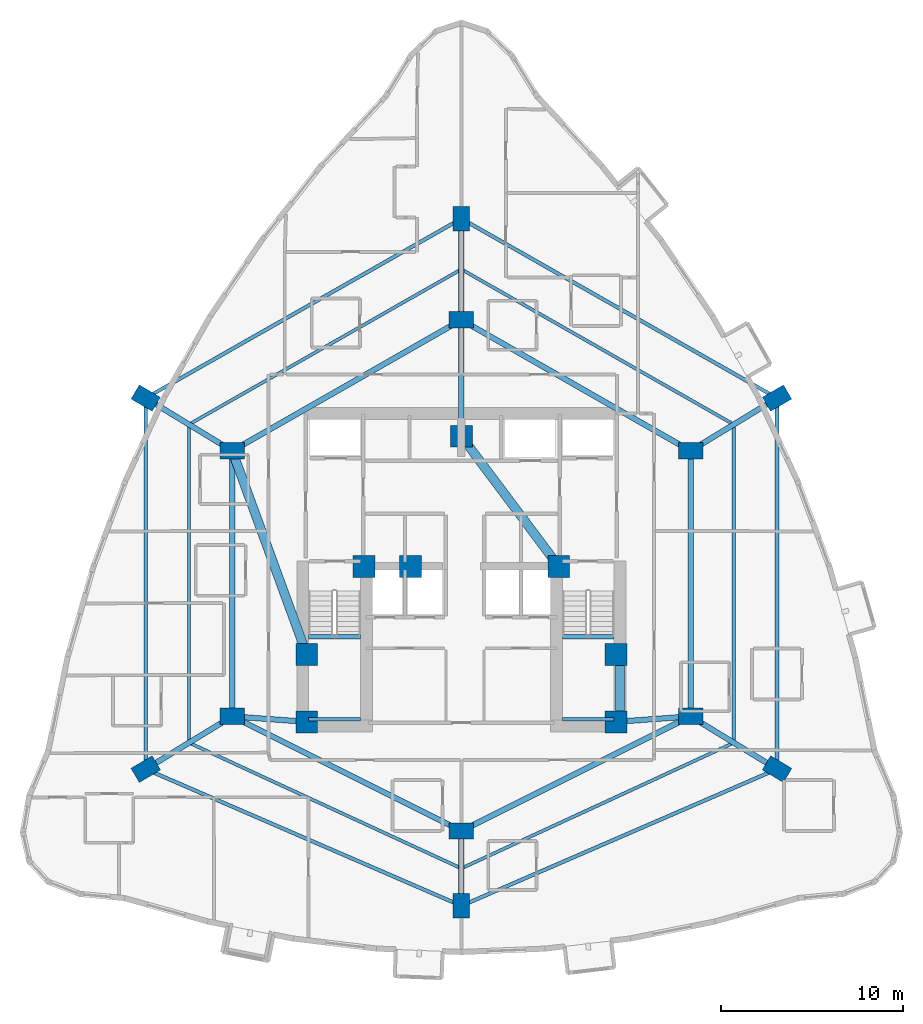
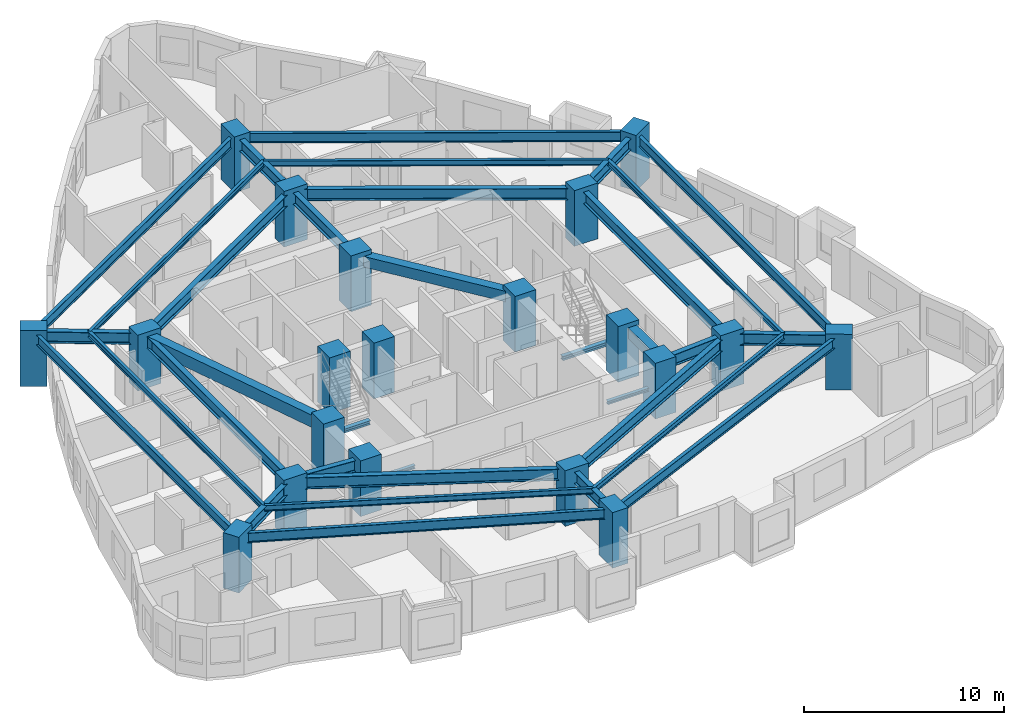
# One storey, part 1 of 15: 34 beams, 20 columns.
"""IFC4 building model written with IfcOpenShell, lengths in metres."""

from ifc_helpers import new_model, si_unit, direction, frame, origin, origin_2d, place, context, subcontext, project, spatial, rectangle, i_section, extrude, material, material_profile, profile_set, type_object, element, save


model = new_model("IFC4")

# Units and contexts
model_context = context("Model", 3, precision=1e-05, world=origin(), true_north=direction((0.0, 1.0)))
body_context = subcontext(model_context, "Body", "Model", "MODEL_VIEW")
ifc_project = project(units=[si_unit("LENGTHUNIT", "METRE"), si_unit("AREAUNIT", "SQUARE_METRE"), si_unit("VOLUMEUNIT", "CUBIC_METRE"), si_unit("PLANEANGLEUNIT", "RADIAN"), si_unit("MASSUNIT", "GRAM", prefix="KILO")], contexts=[model_context])

# Site, building, storey
site_placement = place(None, origin())
site = spatial("IfcSite", under=ifc_project, at=site_placement, CompositionType="ELEMENT")
building_placement = place(site_placement, origin())
building = spatial("IfcBuilding", under=site, at=building_placement, Name="Miruveldt Soraemaru", CompositionType="ELEMENT")
storey_placement = place(building_placement, frame((0.0, 0.0, 83.60009765625)))
storey = spatial("IfcBuildingStorey", under=building, at=storey_placement, Name="L23", CompositionType="ELEMENT", Elevation=83.60009765625)

# Columns
ifc_material_1 = material(Name="Concrete C70/85 (70 MPa)", Category="concrete")
ifc_material_profile_1 = material_profile(ifc_material_1, rectangle(XDim=1.199951171875, YDim=1.199951171875, at=origin_2d()), Name="Concrete C70/85 (70 MPa)", Category="concrete")
ifc_profile_set_1 = profile_set([ifc_material_profile_1], Name="Concrete C70/85 (70 MPa)")
column_type_1 = type_object("IfcColumnType", Name="COL-CORE-1200", PredefinedType="COLUMN", material=ifc_profile_set_1)
for number, where, z_axis, x_axis, name in (
    (1, (35.5, 35.5, 0.0), (0.0, 0.0, 1.0), (1.0, 0.0, 0.0), "L23 Structural Column CC1"),
    (2, (38.64990234375, 44.050048828125, 0.0), (0.0, 0.0, 1.0), (1.0, 0.0, 0.0), "L23 Structural Column CC2"),
    (3, (52.5, 35.5, 0.0), (0.0, 0.0, 1.0), (1.0, 0.0, 0.0), "L23 Structural Column CC3"),
    (4, (52.5, 39.199951171875, 0.0), (0.0, 0.0, 1.0), (1.0, 0.0, 0.0), "L23 Structural Column CC4"),
    (5, (49.35009765625, 44.050048828125, 0.0), (0.0, 0.0, 1.0), (1.0, 0.0, 0.0), "L23 Structural Column CC5"),
    (6, (44.0, 51.199951171875, 0.0), (0.0, 0.0, 1.0), (1.0, 0.0, 0.0), "L23 Structural Column CC6"),
    (7, (35.5, 39.199951171875, 0.0), (0.0, 0.0, 1.0), (1.0, 0.0, 0.0), "L23 Structural Column CC7"),
    (8, (41.199951171875, 44.050048828125, 0.0), (0.0, 0.0, 1.0), (1.0, 0.0, 0.0), "L23 Structural Column CC8"),
):
    element("IfcColumn", number, at=place(storey_placement, frame(where, z_axis=z_axis, x_axis=x_axis)), inside=storey, type_object=column_type_1, Name=name, PredefinedType="COLUMN", context=body_context, shape_type="SweptSolid", body=[
        extrude(rectangle(XDim=1.199951171875, YDim=1.199951171875, at=origin_2d()), origin(), (0.0, 0.0, 1.0), 3.39990234375),
    ])
ifc_material_profile_2 = material_profile(ifc_material_1, rectangle(XDim=1.35009765625, YDim=0.89990234375, at=origin_2d()), Name="Concrete C70/85 (70 MPa)", Category="concrete")
ifc_profile_set_2 = profile_set([ifc_material_profile_2], Name="Concrete C70/85 (70 MPa)")
column_type_2 = type_object("IfcColumnType", Name="COL-TW-Z1B", PredefinedType="COLUMN", material=ifc_profile_set_2)
for number, where, z_axis, x_axis, name in (
    (9, (44.0, 57.60009765625, 0.0), (0.0, 0.0, 1.0), (1.0, 0.0, 0.0), "L23 Structural Column IR01"),
    (10, (56.60009765625, 50.39990234375, 0.0), (0.0, 0.0, 1.0), (1.0, 0.0, 0.0), "L23 Structural Column IR02"),
    (11, (56.60009765625, 35.800048828125, 0.0), (0.0, 0.0, 1.0), (1.0, 0.0, 0.0), "L23 Structural Column IR03"),
    (12, (44.0, 29.5, 0.0), (0.0, 0.0, 1.0), (1.0, 0.0, 0.0), "L23 Structural Column IR04"),
    (13, (31.39990234375, 35.800048828125, 0.0), (0.0, 0.0, 1.0), (1.0, 0.0, 0.0), "L23 Structural Column IR05"),
    (14, (31.39990234375, 50.39990234375, 0.0), (0.0, 0.0, 1.0), (1.0, 0.0, 0.0), "L23 Structural Column IR06"),
    (15, (44.0, 63.16796875, 0.0), (0.0, 0.0, 1.0), (0.0, 1.0, 0.0), "L23 Structural Column Z1P01"),
    (16, (61.35595703125, 53.300048828125, 0.0), (0.0, 0.0, 1.0), (0.864274801954, 0.50301994663, 0.0), "L23 Structural Column Z1P02"),
    (17, (61.35595703125, 32.89990234375, 0.0), (0.0, 0.0, 1.0), (-0.859852271597, 0.510542917912, 0.0), "L23 Structural Column Z1P03"),
    (18, (44.0, 25.382080078125, 0.0), (0.0, 0.0, 1.0), (0.0, 1.0, 0.0), "L23 Structural Column Z1P04"),
    (19, (26.64404296875, 32.89990234375, 0.0), (0.0, 0.0, 1.0), (0.859852271597, 0.510542917912, 0.0), "L23 Structural Column Z1P05"),
    (20, (26.64404296875, 53.300048828125, 0.0), (0.0, 0.0, 1.0), (-0.864274801954, 0.50301994663, 0.0), "L23 Structural Column Z1P06"),
):
    element("IfcColumn", number, at=place(storey_placement, frame(where, z_axis=z_axis, x_axis=x_axis)), inside=storey, type_object=column_type_2, Name=name, PredefinedType="COLUMN", context=body_context, shape_type="SweptSolid", body=[
        extrude(rectangle(XDim=1.35009765625, YDim=0.89990234375, at=origin_2d()), origin(), (0.0, 0.0, 1.0), 3.39990234375),
    ])

# Beams
ifc_material_2 = material(Name="Concrete C50/60 (50 MPa)", Category="concrete")
ifc_material_profile_3 = material_profile(ifc_material_2, rectangle(XDim=0.5, YDim=0.64990234375, at=origin_2d()), Name="Concrete C50/60 (50 MPa)", Category="concrete")
ifc_profile_set_3 = profile_set([ifc_material_profile_3], Name="Concrete C50/60 (50 MPa)")
beam_type_1 = type_object("IfcBeamType", Name="BM-RC-500x650", PredefinedType="BEAM", material=ifc_profile_set_3)
beam_1_placement = place(storey_placement, frame((52.72998046875, 35.5, 2.7998046875), z_axis=(0.0, 1.0, 0.0), x_axis=(-1.0, 0.0, 0.0)))
element("IfcBeam", 21, at=beam_1_placement, inside=storey, type_object=beam_type_1, Name="L23 Core Tie Beam 3", PredefinedType="BEAM", context=body_context, shape_type="SweptSolid", body=[
    extrude(rectangle(XDim=0.5, YDim=0.64990234375, at=origin_2d()), origin(), (0.0, 0.0, 1.0), 3.699951171875),
])
beam_2_placement = place(storey_placement, frame((49.35009765625, 44.050048828125, 2.7998046875), z_axis=(-0.599116023999, 0.800662219533, 0.0), x_axis=(-0.800662219533, -0.599116023999, 0.0)))
element("IfcBeam", 22, at=beam_2_placement, inside=storey, type_object=beam_type_1, Name="L23 Core Tie Beam 5", PredefinedType="BEAM", context=body_context, shape_type="SweptSolid", body=[
    extrude(rectangle(XDim=0.5, YDim=0.64990234375, at=origin_2d()), origin(), (0.0, 0.0, 1.0), 8.929931640625),
])
ifc_material_3 = material(Name="Concrete C40/50 (40 MPa)", Category="concrete")
ifc_material_profile_4 = material_profile(ifc_material_3, rectangle(XDim=0.5, YDim=0.75, at=origin_2d()), Name="Concrete C40/50 (40 MPa)", Category="concrete")
ifc_profile_set_4 = profile_set([ifc_material_profile_4], Name="Concrete C40/50 (40 MPa)")
beam_type_2 = type_object("IfcBeamType", Name="BM-RC-500x750", PredefinedType="LINTEL", material=ifc_profile_set_4)
beam_3_placement = place(storey_placement, frame((31.39990234375, 50.39990234375, 2.75), z_axis=(0.343770424598, -0.939053723262, 0.0), x_axis=(0.939053723262, 0.343770424598, 0.0)))
element("IfcBeam", 23, at=beam_3_placement, inside=storey, type_object=beam_type_2, Name="L23 West Lobby Lintel", PredefinedType="LINTEL", context=body_context, shape_type="SweptSolid", body=[
    extrude(rectangle(XDim=0.5, YDim=0.75, at=origin_2d()), origin(), (0.0, 0.0, 1.0), 11.9267578125),
])
ifc_material_4 = material(Name="Steel SM355 (355 MPa)", Category="steel")
ifc_material_profile_5 = material_profile(ifc_material_4, i_section(OverallWidth=0.175048828125, OverallDepth=0.35009765625, WebThickness=0.007080078125, FlangeThickness=0.010986328125, FilletRadius=0.013916015625, at=origin_2d()), Name="Steel SM355 (355 MPa)", Category="steel")
ifc_profile_set_5 = profile_set([ifc_material_profile_5], Name="Steel SM355 (355 MPa)")
beam_type_3 = type_object("IfcBeamType", Name="BM-ST-H350", PredefinedType="JOIST", material=ifc_profile_set_5)
beam_4_placement = place(storey_placement, frame((44.0, 60.384033203125, 2.949951171875), z_axis=(0.868865604585, -0.495048039254, 0.0), x_axis=(0.495048039254, 0.868865604585, 0.0)))
element("IfcBeam", 24, at=beam_4_placement, inside=storey, type_object=beam_type_3, Name="L23 Outer Bay Floor Joist 1", PredefinedType="JOIST", context=body_context, shape_type="SweptSolid", body=[
    extrude(i_section(OverallWidth=0.175048828125, OverallDepth=0.35009765625, WebThickness=0.007080078125, FlangeThickness=0.010986328125, FilletRadius=0.013916015625, at=origin_2d()), origin(), (0.0, 0.0, 1.0), 17.238525390625),
])
beam_5_placement = place(storey_placement, frame((58.97802734375, 51.85009765625, 2.949951171875), z_axis=(0.0, -1.0, 0.0), x_axis=(1.0, 0.0, 0.0)))
element("IfcBeam", 25, at=beam_5_placement, inside=storey, type_object=beam_type_3, Name="L23 Outer Bay Floor Joist 2", PredefinedType="JOIST", context=body_context, shape_type="SweptSolid", body=[
    extrude(i_section(OverallWidth=0.175048828125, OverallDepth=0.35009765625, WebThickness=0.007080078125, FlangeThickness=0.010986328125, FilletRadius=0.013916015625, at=origin_2d()), origin(), (0.0, 0.0, 1.0), 17.5),
])
for number, where, z_axis, x_axis, name in (
    (26, (58.97802734375, 34.35009765625, 2.949951171875), (-0.908046005539, -0.418870447543, 0.0), (0.418870447543, -0.908046005539, 0.0), "L23 Outer Bay Floor Joist 3"),
    (27, (44.0, 27.44091796875, 2.949951171875), (-0.908046005539, 0.418870447543, 0.0), (-0.418870447543, -0.908046005539, 0.0), "L23 Outer Bay Floor Joist 4"),
):
    element("IfcBeam", number, at=place(storey_placement, frame(where, z_axis=z_axis, x_axis=x_axis)), inside=storey, type_object=beam_type_3, Name=name, PredefinedType="JOIST", context=body_context, shape_type="SweptSolid", body=[
        extrude(i_section(OverallWidth=0.175048828125, OverallDepth=0.35009765625, WebThickness=0.007080078125, FlangeThickness=0.010986328125, FilletRadius=0.013916015625, at=origin_2d()), origin(), (0.0, 0.0, 1.0), 16.494873046875),
    ])
beam_6_placement = place(storey_placement, frame((29.02197265625, 34.35009765625, 2.949951171875), z_axis=(0.0, 1.0, 0.0), x_axis=(-1.0, 0.0, 0.0)))
element("IfcBeam", 28, at=beam_6_placement, inside=storey, type_object=beam_type_3, Name="L23 Outer Bay Floor Joist 5", PredefinedType="JOIST", context=body_context, shape_type="SweptSolid", body=[
    extrude(i_section(OverallWidth=0.175048828125, OverallDepth=0.35009765625, WebThickness=0.007080078125, FlangeThickness=0.010986328125, FilletRadius=0.013916015625, at=origin_2d()), origin(), (0.0, 0.0, 1.0), 17.5),
])
beam_7_placement = place(storey_placement, frame((29.02197265625, 51.85009765625, 2.949951171875), z_axis=(0.868865604585, 0.495048039254, 0.0), x_axis=(-0.495048039254, 0.868865604585, 0.0)))
element("IfcBeam", 29, at=beam_7_placement, inside=storey, type_object=beam_type_3, Name="L23 Outer Bay Floor Joist 6", PredefinedType="JOIST", context=body_context, shape_type="SweptSolid", body=[
    extrude(i_section(OverallWidth=0.175048828125, OverallDepth=0.35009765625, WebThickness=0.007080078125, FlangeThickness=0.010986328125, FilletRadius=0.013916015625, at=origin_2d()), origin(), (0.0, 0.0, 1.0), 17.238525390625),
])
ifc_material_profile_6 = material_profile(ifc_material_4, i_section(OverallWidth=0.199951171875, OverallDepth=0.60009765625, WebThickness=0.010986328125, FlangeThickness=0.01708984375, FilletRadius=0.02197265625, at=origin_2d()), Name="Steel SM355 (355 MPa)", Category="steel")
ifc_profile_set_6 = profile_set([ifc_material_profile_6], Name="Steel SM355 (355 MPa)")
beam_type_4 = type_object("IfcBeamType", Name="BM-ST-H600", PredefinedType="SPANDREL", material=ifc_profile_set_6)
beam_8_placement = place(storey_placement, frame((44.0, 63.16796875, 2.824951171875), z_axis=(0.869314947608, -0.494258557706, 0.0), x_axis=(0.494258557706, 0.869314947608, 0.0)))
element("IfcBeam", 30, at=beam_8_placement, inside=storey, type_object=beam_type_4, Name="L23 Zone-1 Spandrel Beam 1", PredefinedType="SPANDREL", context=body_context, shape_type="SweptSolid", body=[
    extrude(i_section(OverallWidth=0.199951171875, OverallDepth=0.60009765625, WebThickness=0.010986328125, FlangeThickness=0.01708984375, FilletRadius=0.02197265625, at=origin_2d()), origin(), (0.0, 0.0, 1.0), 19.965087890625),
])
beam_9_placement = place(storey_placement, frame((61.35595703125, 53.300048828125, 2.824951171875), z_axis=(0.0, -1.0, 0.0), x_axis=(1.0, 0.0, 0.0)))
element("IfcBeam", 31, at=beam_9_placement, inside=storey, type_object=beam_type_4, Name="L23 Zone-1 Spandrel Beam 2", PredefinedType="SPANDREL", context=body_context, shape_type="SweptSolid", body=[
    extrude(i_section(OverallWidth=0.199951171875, OverallDepth=0.60009765625, WebThickness=0.010986328125, FlangeThickness=0.01708984375, FilletRadius=0.02197265625, at=origin_2d()), origin(), (0.0, 0.0, 1.0), 20.400146484375),
])
for number, where, z_axis, x_axis, name in (
    (32, (61.35595703125, 32.89990234375, 2.824951171875), (-0.917615263736, -0.397469782195, 0.0), (0.397469782195, -0.917615263736, 0.0), "L23 Zone-1 Spandrel Beam 3"),
    (33, (44.0, 25.382080078125, 2.824951171875), (-0.917615263736, 0.397469782195, 0.0), (-0.397469782195, -0.917615263736, 0.0), "L23 Zone-1 Spandrel Beam 4"),
):
    element("IfcBeam", number, at=place(storey_placement, frame(where, z_axis=z_axis, x_axis=x_axis)), inside=storey, type_object=beam_type_4, Name=name, PredefinedType="SPANDREL", context=body_context, shape_type="SweptSolid", body=[
        extrude(i_section(OverallWidth=0.199951171875, OverallDepth=0.60009765625, WebThickness=0.010986328125, FlangeThickness=0.01708984375, FilletRadius=0.02197265625, at=origin_2d()), origin(), (0.0, 0.0, 1.0), 18.914306640625),
    ])
beam_10_placement = place(storey_placement, frame((26.64404296875, 32.89990234375, 2.824951171875), z_axis=(0.0, 1.0, 0.0), x_axis=(-1.0, 0.0, 0.0)))
element("IfcBeam", 34, at=beam_10_placement, inside=storey, type_object=beam_type_4, Name="L23 Zone-1 Spandrel Beam 5", PredefinedType="SPANDREL", context=body_context, shape_type="SweptSolid", body=[
    extrude(i_section(OverallWidth=0.199951171875, OverallDepth=0.60009765625, WebThickness=0.010986328125, FlangeThickness=0.01708984375, FilletRadius=0.02197265625, at=origin_2d()), origin(), (0.0, 0.0, 1.0), 20.400146484375),
])
beam_11_placement = place(storey_placement, frame((26.64404296875, 53.300048828125, 2.824951171875), z_axis=(0.869314947608, 0.494258557706, 0.0), x_axis=(-0.494258557706, 0.869314947608, 0.0)))
element("IfcBeam", 35, at=beam_11_placement, inside=storey, type_object=beam_type_4, Name="L23 Zone-1 Spandrel Beam 6", PredefinedType="SPANDREL", context=body_context, shape_type="SweptSolid", body=[
    extrude(i_section(OverallWidth=0.199951171875, OverallDepth=0.60009765625, WebThickness=0.010986328125, FlangeThickness=0.01708984375, FilletRadius=0.02197265625, at=origin_2d()), origin(), (0.0, 0.0, 1.0), 19.965087890625),
])
ifc_material_profile_7 = material_profile(ifc_material_4, i_section(OverallWidth=0.300048828125, OverallDepth=0.699951171875, WebThickness=0.012939453125, FlangeThickness=0.02392578125, FilletRadius=0.028076171875, at=origin_2d()), Name="Steel SM355 (355 MPa)", Category="steel")
ifc_profile_set_7 = profile_set([ifc_material_profile_7], Name="Steel SM355 (355 MPa)")
beam_type_5 = type_object("IfcBeamType", Name="BM-ST-H700", PredefinedType="BEAM", material=ifc_profile_set_7)
beam_12_placement = place(storey_placement, frame((44.0, 57.60009765625, 2.77490234375), z_axis=(0.868239001029, -0.496146185203, 0.0), x_axis=(0.496146185203, 0.868239001029, 0.0)))
element("IfcBeam", 36, at=beam_12_placement, inside=storey, type_object=beam_type_5, Name="L23 Inner Ring Girder 1", PredefinedType="BEAM", context=body_context, shape_type="SweptSolid", body=[
    extrude(i_section(OverallWidth=0.300048828125, OverallDepth=0.699951171875, WebThickness=0.012939453125, FlangeThickness=0.02392578125, FilletRadius=0.028076171875, at=origin_2d()), origin(), (0.0, 0.0, 1.0), 14.51220703125),
])
beam_13_placement = place(storey_placement, frame((44.0, 51.199951171875, 2.77490234375), z_axis=(0.0, 1.0, 0.0), x_axis=(-1.0, 0.0, 0.0)))
element("IfcBeam", 37, at=beam_13_placement, inside=storey, type_object=beam_type_5, Name="L23 Core-to-Inner Radial Girder 1", PredefinedType="BEAM", context=body_context, shape_type="SweptSolid", body=[
    extrude(i_section(OverallWidth=0.300048828125, OverallDepth=0.699951171875, WebThickness=0.012939453125, FlangeThickness=0.02392578125, FilletRadius=0.028076171875, at=origin_2d()), origin(), (0.0, 0.0, 1.0), 6.400146484375),
])
beam_14_placement = place(storey_placement, frame((56.60009765625, 50.39990234375, 2.77490234375), z_axis=(0.0, -1.0, 0.0), x_axis=(1.0, 0.0, 0.0)))
element("IfcBeam", 38, at=beam_14_placement, inside=storey, type_object=beam_type_5, Name="L23 Inner Ring Girder 2", PredefinedType="BEAM", context=body_context, shape_type="SweptSolid", body=[
    extrude(i_section(OverallWidth=0.300048828125, OverallDepth=0.699951171875, WebThickness=0.012939453125, FlangeThickness=0.02392578125, FilletRadius=0.028076171875, at=origin_2d()), origin(), (0.0, 0.0, 1.0), 14.599853515625),
])
beam_15_placement = place(storey_placement, frame((56.60009765625, 35.800048828125, 2.77490234375), z_axis=(-0.894427191, -0.4472135955, 0.0), x_axis=(0.4472135955, -0.894427191, 0.0)))
element("IfcBeam", 39, at=beam_15_placement, inside=storey, type_object=beam_type_5, Name="L23 Inner Ring Girder 3", PredefinedType="BEAM", context=body_context, shape_type="SweptSolid", body=[
    extrude(i_section(OverallWidth=0.300048828125, OverallDepth=0.699951171875, WebThickness=0.012939453125, FlangeThickness=0.02392578125, FilletRadius=0.028076171875, at=origin_2d()), origin(), (0.0, 0.0, 1.0), 14.08740234375),
])
beam_16_placement = place(storey_placement, frame((52.5, 35.5, 2.77490234375), z_axis=(0.997332985605, 0.072985723431, 0.0), x_axis=(-0.072985723431, 0.997332985605, 0.0)))
element("IfcBeam", 40, at=beam_16_placement, inside=storey, type_object=beam_type_5, Name="L23 Core-to-Inner Radial Girder 3", PredefinedType="BEAM", context=body_context, shape_type="SweptSolid", body=[
    extrude(i_section(OverallWidth=0.300048828125, OverallDepth=0.699951171875, WebThickness=0.012939453125, FlangeThickness=0.02392578125, FilletRadius=0.028076171875, at=origin_2d()), origin(), (0.0, 0.0, 1.0), 4.111083984375),
])
beam_17_placement = place(storey_placement, frame((44.0, 29.5, 2.77490234375), z_axis=(-0.894427191, 0.4472135955, 0.0), x_axis=(-0.4472135955, -0.894427191, 0.0)))
element("IfcBeam", 41, at=beam_17_placement, inside=storey, type_object=beam_type_5, Name="L23 Inner Ring Girder 4", PredefinedType="BEAM", context=body_context, shape_type="SweptSolid", body=[
    extrude(i_section(OverallWidth=0.300048828125, OverallDepth=0.699951171875, WebThickness=0.012939453125, FlangeThickness=0.02392578125, FilletRadius=0.028076171875, at=origin_2d()), origin(), (0.0, 0.0, 1.0), 14.08740234375),
])
beam_18_placement = place(storey_placement, frame((31.39990234375, 35.800048828125, 2.77490234375), z_axis=(0.0, 1.0, 0.0), x_axis=(-1.0, 0.0, 0.0)))
element("IfcBeam", 42, at=beam_18_placement, inside=storey, type_object=beam_type_5, Name="L23 Inner Ring Girder 5", PredefinedType="BEAM", context=body_context, shape_type="SweptSolid", body=[
    extrude(i_section(OverallWidth=0.300048828125, OverallDepth=0.699951171875, WebThickness=0.012939453125, FlangeThickness=0.02392578125, FilletRadius=0.028076171875, at=origin_2d()), origin(), (0.0, 0.0, 1.0), 14.599853515625),
])
beam_19_placement = place(storey_placement, frame((35.5, 35.5, 2.77490234375), z_axis=(-0.997332985605, 0.072985723431, 0.0), x_axis=(-0.072985723431, -0.997332985605, 0.0)))
element("IfcBeam", 43, at=beam_19_placement, inside=storey, type_object=beam_type_5, Name="L23 Core-to-Inner Radial Girder 5", PredefinedType="BEAM", context=body_context, shape_type="SweptSolid", body=[
    extrude(i_section(OverallWidth=0.300048828125, OverallDepth=0.699951171875, WebThickness=0.012939453125, FlangeThickness=0.02392578125, FilletRadius=0.028076171875, at=origin_2d()), origin(), (0.0, 0.0, 1.0), 4.111083984375),
])
beam_20_placement = place(storey_placement, frame((31.39990234375, 50.39990234375, 2.77490234375), z_axis=(0.868239001029, 0.496146185203, 0.0), x_axis=(-0.496146185203, 0.868239001029, 0.0)))
element("IfcBeam", 44, at=beam_20_placement, inside=storey, type_object=beam_type_5, Name="L23 Inner Ring Girder 6", PredefinedType="BEAM", context=body_context, shape_type="SweptSolid", body=[
    extrude(i_section(OverallWidth=0.300048828125, OverallDepth=0.699951171875, WebThickness=0.012939453125, FlangeThickness=0.02392578125, FilletRadius=0.028076171875, at=origin_2d()), origin(), (0.0, 0.0, 1.0), 14.51220703125),
])
beam_21_placement = place(storey_placement, frame((44.0, 57.60009765625, 2.77490234375), z_axis=(0.0, 1.0, 0.0), x_axis=(-1.0, 0.0, 0.0)))
element("IfcBeam", 45, at=beam_21_placement, inside=storey, type_object=beam_type_5, Name="L23 Zone-1 Radial Girder 1", PredefinedType="BEAM", context=body_context, shape_type="SweptSolid", body=[
    extrude(i_section(OverallWidth=0.300048828125, OverallDepth=0.699951171875, WebThickness=0.012939453125, FlangeThickness=0.02392578125, FilletRadius=0.028076171875, at=origin_2d()), origin(), (0.0, 0.0, 1.0), 5.56787109375),
])
for number, where, z_axis, x_axis, name in (
    (46, (56.60009765625, 50.39990234375, 2.77490234375), (0.853777644156, 0.520637814935, 0.0), (-0.520637814935, 0.853777644156, 0.0), "L23 Zone-1 Radial Girder 2"),
    (47, (56.60009765625, 35.800048828125, 2.77490234375), (0.853777644156, -0.520637814935, 0.0), (0.520637814935, 0.853777644156, 0.0), "L23 Zone-1 Radial Girder 3"),
):
    element("IfcBeam", number, at=place(storey_placement, frame(where, z_axis=z_axis, x_axis=x_axis)), inside=storey, type_object=beam_type_5, Name=name, PredefinedType="BEAM", context=body_context, shape_type="SweptSolid", body=[
        extrude(i_section(OverallWidth=0.300048828125, OverallDepth=0.699951171875, WebThickness=0.012939453125, FlangeThickness=0.02392578125, FilletRadius=0.028076171875, at=origin_2d()), origin(), (0.0, 0.0, 1.0), 5.5703125),
    ])
beam_22_placement = place(storey_placement, frame((44.0, 29.5, 2.77490234375), z_axis=(0.0, -1.0, 0.0), x_axis=(1.0, 0.0, 0.0)))
element("IfcBeam", 48, at=beam_22_placement, inside=storey, type_object=beam_type_5, Name="L23 Zone-1 Radial Girder 4", PredefinedType="BEAM", context=body_context, shape_type="SweptSolid", body=[
    extrude(i_section(OverallWidth=0.300048828125, OverallDepth=0.699951171875, WebThickness=0.012939453125, FlangeThickness=0.02392578125, FilletRadius=0.028076171875, at=origin_2d()), origin(), (0.0, 0.0, 1.0), 4.117919921875),
])
for number, where, z_axis, x_axis, name in (
    (49, (31.39990234375, 35.800048828125, 2.77490234375), (-0.853777644156, -0.520637814935, 0.0), (0.520637814935, -0.853777644156, 0.0), "L23 Zone-1 Radial Girder 5"),
    (50, (31.39990234375, 50.39990234375, 2.77490234375), (-0.853777644156, 0.520637814935, 0.0), (-0.520637814935, -0.853777644156, 0.0), "L23 Zone-1 Radial Girder 6"),
):
    element("IfcBeam", number, at=place(storey_placement, frame(where, z_axis=z_axis, x_axis=x_axis)), inside=storey, type_object=beam_type_5, Name=name, PredefinedType="BEAM", context=body_context, shape_type="SweptSolid", body=[
        extrude(i_section(OverallWidth=0.300048828125, OverallDepth=0.699951171875, WebThickness=0.012939453125, FlangeThickness=0.02392578125, FilletRadius=0.028076171875, at=origin_2d()), origin(), (0.0, 0.0, 1.0), 5.5703125),
    ])
ifc_material_profile_8 = material_profile(ifc_material_4, i_section(OverallWidth=0.199951171875, OverallDepth=0.199951171875, WebThickness=0.008056640625, FlangeThickness=0.011962890625, FilletRadius=0.012939453125, at=origin_2d()), Name="Steel SM355 (355 MPa)", Category="steel")
ifc_profile_set_8 = profile_set([ifc_material_profile_8], Name="Steel SM355 (355 MPa)")
beam_type_6 = type_object("IfcBeamType", Name="BM-ST-LND200", PredefinedType="BEAM", material=ifc_profile_set_8)
for number, where, z_axis, x_axis, name in (
    (51, (35.60009765625, 35.64990234375, 1.39990234375), (1.0, 0.0, 0.0), (0.0, 1.0, 0.0), "L23 ST1 Landing End Beam 1B"),
    (52, (49.550048828125, 35.64990234375, 1.39990234375), (1.0, 0.0, 0.0), (0.0, 1.0, 0.0), "L23 ST2 Landing End Beam 1B"),
):
    element("IfcBeam", number, at=place(storey_placement, frame(where, z_axis=z_axis, x_axis=x_axis)), inside=storey, type_object=beam_type_6, Name=name, PredefinedType="BEAM", context=body_context, shape_type="SweptSolid", body=[
        extrude(i_section(OverallWidth=0.199951171875, OverallDepth=0.199951171875, WebThickness=0.008056640625, FlangeThickness=0.011962890625, FilletRadius=0.012939453125, at=origin_2d()), origin(), (0.0, 0.0, 1.0), 2.849853515625),
    ])
ifc_material_profile_9 = material_profile(ifc_material_4, i_section(OverallWidth=0.25, OverallDepth=0.25, WebThickness=0.009033203125, FlangeThickness=0.013916015625, FilletRadius=0.01611328125, at=origin_2d()), Name="Steel SM355 (355 MPa)", Category="steel")
ifc_profile_set_9 = profile_set([ifc_material_profile_9], Name="Steel SM355 (355 MPa)")
beam_type_7 = type_object("IfcBeamType", Name="BM-ST-LND250", PredefinedType="BEAM", material=ifc_profile_set_9)
for number, where, z_axis, x_axis, name in (
    (53, (35.60009765625, 40.179931640625, 1.375), (1.0, 0.0, 0.0), (0.0, 1.0, 0.0), "L23 ST1 Landing Support Beam 1A"),
    (54, (49.550048828125, 40.179931640625, 1.375), (1.0, 0.0, 0.0), (0.0, 1.0, 0.0), "L23 ST2 Landing Support Beam 1A"),
):
    element("IfcBeam", number, at=place(storey_placement, frame(where, z_axis=z_axis, x_axis=x_axis)), inside=storey, type_object=beam_type_7, Name=name, PredefinedType="BEAM", context=body_context, shape_type="SweptSolid", body=[
        extrude(i_section(OverallWidth=0.25, OverallDepth=0.25, WebThickness=0.009033203125, FlangeThickness=0.013916015625, FilletRadius=0.01611328125, at=origin_2d()), origin(), (0.0, 0.0, 1.0), 2.849853515625),
    ])

save(model, "model.ifc")
